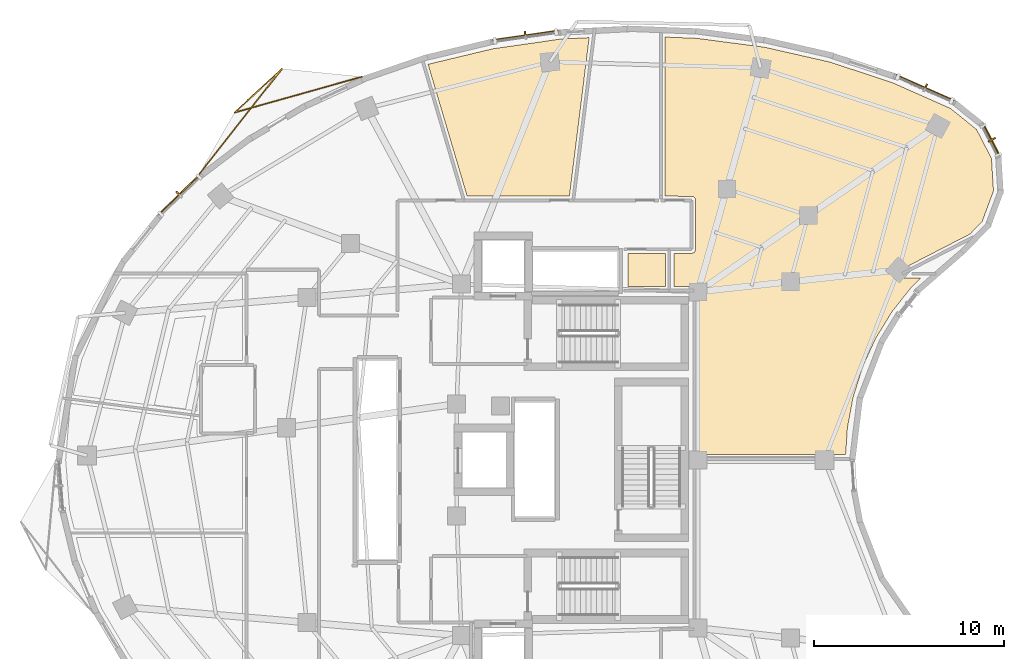
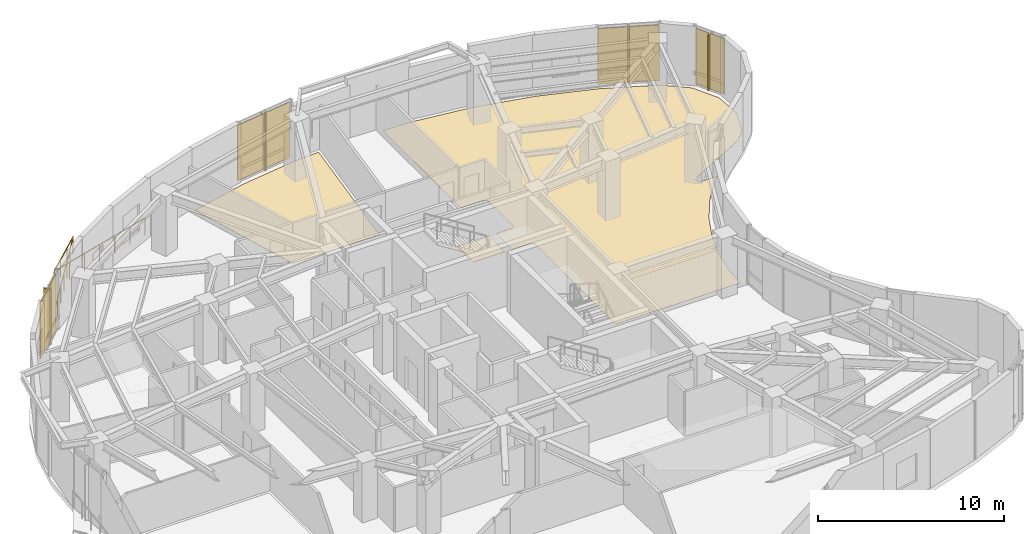
# One storey, part 15 of 15: 8 shading devices, 3 coverings, 1 railing.
"""IFC4 building model written with IfcOpenShell, lengths in metres."""

import ifcopenshell
import ifcopenshell.guid

model = None  # the IFC model being written
_history = None  # IfcOwnerHistory: only IFC2X3 demands one
_inside = {}  # id of a spatial element -> (the spatial element, [elements in it])
_under = {}  # id of a project, library or spatial element -> (it, [spatial elements below it])
_declared = {}  # id of a project -> (the project, [libraries it declares])
_typed = {}  # id of a type object -> (the type object, [elements of that type])
_made_of = {}  # id of a material, layer set ... -> (it, [elements and type objects made of it])


def new_model(schema):
    """Start an empty IFC model of exactly this schema.

    Asked for "IFC4X3", IfcOpenShell would pick the latest addendum, in which some entities
    have other attributes; the version numbers below select the first issue.
    IFC2X3 requires an IfcOwnerHistory on every rooted entity: one is made here for all.
    """
    global model, _history
    if schema == "IFC4X3":
        model = ifcopenshell.file(schema_version=(4, 3, 0, 0))
    else:
        model = ifcopenshell.file(schema=schema)
    _inside.clear()
    _under.clear()
    _declared.clear()
    _typed.clear()
    _made_of.clear()
    _history = None
    if model.schema == "IFC2X3":
        org = make("IfcOrganization", Name="unknown")
        user = make(
            "IfcPersonAndOrganization",
            ThePerson=make("IfcPerson", FamilyName="unknown"),
            TheOrganization=org,
        )
        app = make(
            "IfcApplication",
            ApplicationDeveloper=org,
            Version="unknown",
            ApplicationFullName="unknown",
            ApplicationIdentifier="unknown",
        )
        _history = make(
            "IfcOwnerHistory",
            OwningUser=user,
            OwningApplication=app,
            ChangeAction="ADDED",
            CreationDate=0,
        )
    return model


def make(cls, **values):
    """One entity of the class cls with the attributes given. An attribute that is None is left unset."""
    return model.create_entity(
        cls, **{name: value for name, value in values.items() if value is not None}
    )


def rooted(cls, **values):
    """An entity with a GlobalId (a new one), such as an element, a storey or a relation."""
    return make(cls, GlobalId=ifcopenshell.guid.new(), OwnerHistory=_history, **values)


def si_unit(unit_type, name, prefix=None):
    """IfcSIUnit, for example si_unit("LENGTHUNIT", "METRE", prefix="MILLI")."""
    return make("IfcSIUnit", UnitType=unit_type, Prefix=prefix, Name=name)


def assignment(units):
    """IfcUnitAssignment: the units of a project."""
    return None if units is None else make("IfcUnitAssignment", Units=units)


def point(xyz):
    """IfcCartesianPoint."""
    return None if xyz is None else make("IfcCartesianPoint", Coordinates=xyz)


def direction(xyz):
    """IfcDirection."""
    return None if xyz is None else make("IfcDirection", DirectionRatios=xyz)


def frame(location, z_axis=None, x_axis=None):
    """IfcAxis2Placement3D, a coordinate frame: its origin and axes. An axis left out is left unset."""
    return make(
        "IfcAxis2Placement3D",
        Location=point(location),
        Axis=direction(z_axis),
        RefDirection=direction(x_axis),
    )


def frame_2d(location, x_axis=None):
    """IfcAxis2Placement2D, a coordinate frame in the plane: its origin and x axis."""
    return make(
        "IfcAxis2Placement2D", Location=point(location), RefDirection=direction(x_axis)
    )


def origin():
    """The frame at (0, 0, 0) with its axes left unset."""
    return frame((0.0, 0.0, 0.0))


def origin_2d():
    """The frame at (0, 0) in the plane with its x axis left unset."""
    return frame_2d((0.0, 0.0))


def place(relative_to, where):
    """IfcLocalPlacement: puts the frame where relative to a parent placement (None: the world)."""
    return make(
        "IfcLocalPlacement", PlacementRelTo=relative_to, RelativePlacement=where
    )


def context(
    kind, dimensions, precision=None, world=None, true_north=None, identifier=None
):
    """IfcGeometricRepresentationContext, for example the 3D "Model" context."""
    return make(
        "IfcGeometricRepresentationContext",
        ContextIdentifier=identifier,
        ContextType=kind,
        CoordinateSpaceDimension=dimensions,
        Precision=precision,
        WorldCoordinateSystem=world,
        TrueNorth=true_north,
    )


def subcontext(parent, identifier, kind, view, scale=None):
    """IfcGeometricRepresentationSubContext, for example "Body" below "Model"."""
    return make(
        "IfcGeometricRepresentationSubContext",
        ContextIdentifier=identifier,
        ContextType=kind,
        ParentContext=parent,
        TargetScale=scale,
        TargetView=view,
    )


def project(units=None, contexts=None):
    """IfcProject with its units and contexts."""
    return rooted(
        "IfcProject",
        Name="project",
        RepresentationContexts=contexts,
        UnitsInContext=assignment(units),
    )


def spatial(cls, under=None, at=None, **own):
    """A site, building, storey or space (cls), placed at a placement, below another one or the project."""
    s = rooted(cls, ObjectPlacement=at, **own)
    if under is not None:
        _under.setdefault(under.id(), (under, []))[1].append(s)
    return s


def polyline(points):
    """IfcPolyline through the points."""
    return make("IfcPolyline", Points=[point(p) for p in points])


def profile(cls, at=None, kind="AREA", **sizes):
    """A parametric profile (cls). Its sizes go by their IFC names, for example OverallWidth=200.0."""
    return make(cls, ProfileType=kind, Position=at, **sizes)


def rectangle(**sizes):
    """IfcRectangleProfileDef."""
    return profile("IfcRectangleProfileDef", **sizes)


def outline(outer, holes=None, kind="AREA"):
    """IfcArbitraryClosedProfileDef: a profile drawn as a closed curve; with holes, ...WithVoids."""
    if holes is None:
        return make("IfcArbitraryClosedProfileDef", ProfileType=kind, OuterCurve=outer)
    return make(
        "IfcArbitraryProfileDefWithVoids",
        ProfileType=kind,
        OuterCurve=outer,
        InnerCurves=holes,
    )


def extrude(swept, where, along, depth):
    """IfcExtrudedAreaSolid: the profile swept, set in the frame where, extruded along a direction by depth."""
    return make(
        "IfcExtrudedAreaSolid",
        SweptArea=swept,
        Position=where,
        ExtrudedDirection=direction(along),
        Depth=depth,
    )


def shape(context_of_items, identifier, shape_type, items):
    """IfcShapeRepresentation: the items that make up one representation, for example the "Body"."""
    return make(
        "IfcShapeRepresentation",
        ContextOfItems=context_of_items,
        RepresentationIdentifier=identifier,
        RepresentationType=shape_type,
        Items=items,
    )


def material(Name=None, Category=None):
    """IfcMaterial."""
    return make("IfcMaterial", Name=Name, Category=Category)


def layer(
    of_material, thickness, ventilated=None, Name=None, Category=None, Priority=None
):
    """IfcMaterialLayer: one layer of a wall or slab, of a material (None: an air gap)."""
    return make(
        "IfcMaterialLayer",
        Material=of_material,
        LayerThickness=thickness,
        IsVentilated=ventilated,
        Name=Name,
        Category=Category,
        Priority=Priority,
    )


def layer_set(layers, Name=None):
    """IfcMaterialLayerSet."""
    return make("IfcMaterialLayerSet", MaterialLayers=layers, LayerSetName=Name)


def made_of(thing, what):
    """Note that an element or type object is made of a material, layer set ...; save() writes the relation."""
    if what is not None:
        _made_of.setdefault(what.id(), (what, []))[1].append(thing)
    return thing


def type_object(cls, material=None, **own):
    """A type object (cls), such as IfcWallType, which elements share."""
    return made_of(rooted(cls, **own), material)


def element(
    cls,
    number,
    at=None,
    inside=None,
    cuts=None,
    type_object=None,
    material=None,
    context=None,
    identifier="Body",
    shape_type=None,
    held_by="IfcProductDefinitionShape",
    body=None,
    shapes=None,
    **own,
):
    """One element of the class cls, such as IfcWall. Its Tag is "e" and its number.

    at: its placement. inside: the storey or other place that contains it. cuts: it is an
    opening in that element (IfcRelVoidsElement). A single representation is given by context,
    identifier, shape_type and body (its items); several are given by shapes. held_by: the class
    of the entity that holds the representations. save() writes the other relations.
    """
    e = rooted(cls, Tag="e%d" % number, ObjectPlacement=at, **own)
    if body is not None:
        shapes = [shape(context, identifier, shape_type, body)]
    if shapes is not None:
        e.Representation = make(held_by, Representations=shapes)
    if inside is not None:
        _inside.setdefault(inside.id(), (inside, []))[1].append(e)
    if cuts is not None:
        rooted(
            "IfcRelVoidsElement", RelatingBuildingElement=cuts, RelatedOpeningElement=e
        )
    if type_object is not None:
        _typed.setdefault(type_object.id(), (type_object, []))[1].append(e)
    return made_of(e, material)


def aggregate(whole, parts):
    """IfcRelAggregates: a whole, such as a stair, and the parts it consists of."""
    return rooted("IfcRelAggregates", RelatingObject=whole, RelatedObjects=parts)


def save(model, path):
    """Write the relations noted so far, then the file.

    IfcRelAggregates (storeys below a building ...), IfcRelContainedInSpatialStructure (elements
    in a storey), IfcRelDefinesByType, IfcRelAssociatesMaterial and IfcRelDeclares: one each for
    every whole, place, type object, material and project.
    """
    for whole, parts in _under.values():
        aggregate(whole, parts)
    for where, things in _inside.values():
        rooted(
            "IfcRelContainedInSpatialStructure",
            RelatedElements=things,
            RelatingStructure=where,
        )
    for kind, things in _typed.values():
        rooted("IfcRelDefinesByType", RelatedObjects=things, RelatingType=kind)
    for what, things in _made_of.values():
        rooted("IfcRelAssociatesMaterial", RelatedObjects=things, RelatingMaterial=what)
    for by, libraries in _declared.values():
        rooted("IfcRelDeclares", RelatingContext=by, RelatedDefinitions=libraries)
    model.write(path)


model = new_model("IFC4")

# Units and contexts
model_context = context("Model", 3, precision=1e-05, world=origin(), true_north=direction((0.0, 1.0)))
body_context = subcontext(model_context, "Body", "Model", "MODEL_VIEW")
ifc_project = project(units=[si_unit("LENGTHUNIT", "METRE"), si_unit("AREAUNIT", "SQUARE_METRE"), si_unit("VOLUMEUNIT", "CUBIC_METRE"), si_unit("PLANEANGLEUNIT", "RADIAN"), si_unit("MASSUNIT", "GRAM", prefix="KILO")], contexts=[model_context])

# Site, building, storey
site_placement = place(None, origin())
site = spatial("IfcSite", under=ifc_project, at=site_placement, CompositionType="ELEMENT")
building_placement = place(site_placement, origin())
building = spatial("IfcBuilding", under=site, at=building_placement, Name="Korentha Bioscience Tower", CompositionType="ELEMENT")
storey_placement = place(building_placement, frame((0.0, 0.0, 226.800048828125)))
storey = spatial("IfcBuildingStorey", under=building, at=storey_placement, Name="L52", CompositionType="ELEMENT", Elevation=226.800048828125)

# Covering
ifc_material_1 = material(Name="Vitrified Porcelain Tile", Category="ceramic")
ifc_layer_1 = layer(ifc_material_1, 0.014892578125, Name="Vitrified Porcelain Tile")
ifc_layer_set_1 = layer_set([ifc_layer_1], Name="Vitrified Porcelain Tile (FL-CER)")
covering_type_1 = type_object("IfcCoveringType", Name="Anti-Slip Ceramic Wet-Room Tile Flooring 15", PredefinedType="FLOORING", material=ifc_layer_set_1)
covering_1_placement = place(storey_placement, origin())
element("IfcCovering", 1, at=covering_1_placement, inside=storey, type_object=covering_type_1, Name="L52 Accessible Staff WC Floor Finish", PredefinedType="FLOORING", context=body_context, shape_type="SweptSolid", body=[
    extrude(outline(polyline([(33.8701171875, 36.1298828125), (33.8701171875, 37.8701171875), (35.830078125, 37.8701171875), (35.830078125, 36.1298828125), (33.8701171875, 36.1298828125)])), origin(), (0.0, 0.0, 1.0), 0.014892578125),
])

# Railing
ifc_material_2 = material(Name="Laminated Tempered Safety Glass", Category="glass")
railing_type = type_object("IfcRailingType", Name="Laminated Glass Balcony Guardrail 1150", PredefinedType="BALUSTRADE", material=ifc_material_2)
railing_placement = place(storey_placement, frame((19.86865234375, 47.1708984375, 0.0)))
element("IfcRailing", 2, at=railing_placement, inside=storey, type_object=railing_type, Name="L52 Balcony Guardrail 01", PredefinedType="BALUSTRADE", context=body_context, shape_type="SweptSolid", body=[
    extrude(rectangle(XDim=0.048095703125, YDim=0.048095703125, at=origin_2d()), frame((0.0, 0.0, 1.1259765625), z_axis=(-0.962678578782, -0.270647286987, 0.0), x_axis=(0.270647286987, -0.962678578782, 0.0)), (0.0, 0.0, 1.0), 6.9775390625),
    extrude(rectangle(XDim=0.048095703125, YDim=0.048095703125, at=origin_2d()), frame((-6.717041015625, -1.888427734375, 1.1259765625), z_axis=(0.735976764293, 0.677006796436, 0.0), x_axis=(-0.677006796436, 0.735976764293, 0.0)), (0.0, 0.0, 1.0), 3.403076171875),
    extrude(rectangle(XDim=0.048095703125, YDim=0.048095703125, at=origin_2d()), frame((-4.21240234375, 0.41552734375, 1.1259765625), z_axis=(-0.618992834984, -0.785396632434, 0.0), x_axis=(0.785396632434, -0.618992834984, 0.0)), (0.0, 0.0, 1.0), 7.001220703125),
    extrude(rectangle(XDim=0.0419921875, YDim=0.0419921875, at=origin_2d()), origin(), (0.0, 0.0, 1.0), 1.101806640625),
    extrude(rectangle(XDim=0.0419921875, YDim=0.0419921875, at=origin_2d()), frame((-1.11962890625, -0.314697265625, 0.0)), (0.0, 0.0, 1.0), 1.101806640625),
    extrude(rectangle(XDim=0.0419921875, YDim=0.0419921875, at=origin_2d()), frame((-2.239013671875, -0.62939453125, 0.0)), (0.0, 0.0, 1.0), 1.101806640625),
    extrude(rectangle(XDim=0.0419921875, YDim=0.0419921875, at=origin_2d()), frame((-3.3583984375, -0.9443359375, 0.0)), (0.0, 0.0, 1.0), 1.101806640625),
    extrude(rectangle(XDim=0.0419921875, YDim=0.0419921875, at=origin_2d()), frame((-4.47802734375, -1.259033203125, 0.0)), (0.0, 0.0, 1.0), 1.101806640625),
    extrude(rectangle(XDim=0.0419921875, YDim=0.0419921875, at=origin_2d()), frame((-5.59765625, -1.57373046875, 0.0)), (0.0, 0.0, 1.0), 1.101806640625),
    extrude(rectangle(XDim=0.0419921875, YDim=0.0419921875, at=origin_2d()), frame((-6.717041015625, -1.888427734375, 0.0)), (0.0, 0.0, 1.0), 1.101806640625),
    extrude(rectangle(XDim=0.0419921875, YDim=0.0419921875, at=origin_2d()), frame((-5.882080078125, -1.120361328125, 0.0)), (0.0, 0.0, 1.0), 1.101806640625),
    extrude(rectangle(XDim=0.0419921875, YDim=0.0419921875, at=origin_2d()), frame((-5.04736328125, -0.3525390625, 0.0)), (0.0, 0.0, 1.0), 1.101806640625),
    extrude(rectangle(XDim=0.0419921875, YDim=0.0419921875, at=origin_2d()), frame((-4.21240234375, 0.41552734375, 0.0)), (0.0, 0.0, 1.0), 1.101806640625),
    extrude(rectangle(XDim=0.0419921875, YDim=0.0419921875, at=origin_2d()), frame((-4.9345703125, -0.5009765625, 0.0)), (0.0, 0.0, 1.0), 1.101806640625),
    extrude(rectangle(XDim=0.0419921875, YDim=0.0419921875, at=origin_2d()), frame((-5.656982421875, -1.41748046875, 0.0)), (0.0, 0.0, 1.0), 1.101806640625),
    extrude(rectangle(XDim=0.0419921875, YDim=0.0419921875, at=origin_2d()), frame((-6.37939453125, -2.333984375, 0.0)), (0.0, 0.0, 1.0), 1.101806640625),
    extrude(rectangle(XDim=0.0419921875, YDim=0.0419921875, at=origin_2d()), frame((-7.1015625, -3.250244140625, 0.0)), (0.0, 0.0, 1.0), 1.101806640625),
    extrude(rectangle(XDim=0.0419921875, YDim=0.0419921875, at=origin_2d()), frame((-7.82373046875, -4.166748046875, 0.0)), (0.0, 0.0, 1.0), 1.101806640625),
    extrude(rectangle(XDim=0.0419921875, YDim=0.0419921875, at=origin_2d()), frame((-8.546142578125, -5.083251953125, 0.0)), (0.0, 0.0, 1.0), 1.101806640625),
])

# Shading devices
ifc_material_3 = material(Name="Perforated Stone-Ceramic Composite", Category="masonry")
ifc_layer_2 = layer(ifc_material_3, 0.06494140625, Name="Perforated Stone-Ceramic Composite")
ifc_layer_set_2 = layer_set([ifc_layer_2], Name="Perforated Stone-Ceramic Composite (CS-01)")
shading_device_type_1 = type_object("IfcShadingDeviceType", Name="Perforated Stone-Ceramic Solar Screen Panel 65", PredefinedType="USERDEFINED", material=ifc_layer_set_2)
shading_device_1_placement = place(storey_placement, frame((49.5126953125, 46.582275390625, 0.0), z_axis=(0.0, 0.0, 1.0), x_axis=(-0.913943941578, 0.405840450983, 0.0)))
element("IfcShadingDevice", 3, at=shading_device_1_placement, inside=storey, type_object=shading_device_type_1, Name="CW-L52-01 Perforated Stone-Ceramic Solar Screen", ObjectType="SCREEN", PredefinedType="USERDEFINED", context=body_context, shape_type="SweptSolid", body=[
    extrude(rectangle(XDim=3.33837890625, YDim=0.06494140625, at=origin_2d()), origin(), (0.0, 0.0, 1.0), 3.64990234375),
])
shading_device_2_placement = place(storey_placement, frame((28.4658203125, 49.341796875, 0.0), z_axis=(0.0, 0.0, 1.0), x_axis=(-0.989901889134, -0.141754188259, 0.0)))
element("IfcShadingDevice", 4, at=shading_device_2_placement, inside=storey, type_object=shading_device_type_1, Name="CW-L52-07 Perforated Stone-Ceramic Solar Screen", ObjectType="SCREEN", PredefinedType="USERDEFINED", context=body_context, shape_type="SweptSolid", body=[
    extrude(rectangle(XDim=3.521484375, YDim=0.06494140625, at=origin_2d()), origin(), (0.0, 0.0, 1.0), 3.64990234375),
])
shading_device_3_placement = place(storey_placement, frame((10.24365234375, 40.961181640625, 0.0), z_axis=(0.0, 0.0, 1.0), x_axis=(-0.719000359175, -0.695009700297, 0.0)))
element("IfcShadingDevice", 5, at=shading_device_3_placement, inside=storey, type_object=shading_device_type_1, Name="CW-L52-13 Perforated Stone-Ceramic Solar Screen", ObjectType="SCREEN", PredefinedType="USERDEFINED", context=body_context, shape_type="SweptSolid", body=[
    extrude(rectangle(XDim=3.01708984375, YDim=0.06494140625, at=origin_2d()), origin(), (0.0, 0.0, 1.0), 3.64990234375),
])
shading_device_4_placement = place(storey_placement, frame((53.003662109375, 43.843505859375, 0.0), z_axis=(0.0, 0.0, 1.0), x_axis=(-0.459738031963, 0.888054582763, 0.0)))
element("IfcShadingDevice", 6, at=shading_device_4_placement, inside=storey, type_object=shading_device_type_1, Name="CW-L52-61 Perforated Stone-Ceramic Solar Screen", ObjectType="SCREEN", PredefinedType="USERDEFINED", context=body_context, shape_type="SweptSolid", body=[
    extrude(rectangle(XDim=1.831298828125, YDim=0.06494140625, at=origin_2d()), origin(), (0.0, 0.0, 1.0), 3.64990234375),
])

# Coverings
ifc_material_4 = material(Name="Chemical-Resistant Epoxy Resin", Category="polymer")
ifc_layer_3 = layer(ifc_material_4, 0.011962890625, Name="Chemical-Resistant Epoxy Resin")
ifc_layer_set_3 = layer_set([ifc_layer_3], Name="Chemical-Resistant Epoxy Resin (FL-EPX)")
covering_type_2 = type_object("IfcCoveringType", Name="Seamless Epoxy Laboratory Flooring 12", PredefinedType="FLOORING", material=ifc_layer_set_3)
covering_2_placement = place(storey_placement, origin())
element("IfcCovering", 7, at=covering_2_placement, inside=storey, type_object=covering_type_2, Name="L52 Scientific Writing Quiet Alcove 07 Floor Finish", PredefinedType="FLOORING", context=body_context, shape_type="SweptSolid", body=[
    extrude(outline(polyline([(35.822021484375, 49.25732421875), (37.4912109375, 49.191650390625), (41.039794921875, 48.726318359375), (44.48681640625, 47.944580078125), (47.78173828125, 46.8583984375), (50.840087890625, 45.500244140625), (52.20947265625, 44.398681640625), (52.99853515625, 42.87451171875), (53.104736328125, 41.16162109375), (52.51025390625, 39.551513671875), (51.86474609375, 38.88525390625), (48.207763671875, 37.001220703125), (48.109130859375, 36.900390625), (48.0869140625, 36.81494140625), (48.107177734375, 36.707763671875), (48.159423828125, 36.636474609375), (48.255615234375, 36.584716796875), (49.269287109375, 36.577880859375), (48.797119140625, 36.109619140625), (47.762451171875, 34.80419921875), (46.89794921875, 33.388671875), (46.224365234375, 31.911376953125), (45.7080078125, 30.27294921875), (45.413330078125, 28.6796875), (45.324951171875, 27.278076171875), (37.580078125, 27.278076171875), (37.57763671875, 35.933349609375), (37.52001953125, 36.0546875), (37.44873046875, 36.107666015625), (37.38427734375, 36.12744140625), (36.280029296875, 36.1298828125), (36.280029296875, 37.8701171875), (37.234130859375, 37.87255859375), (37.35400390625, 37.92919921875), (37.423095703125, 38.043701171875), (37.4296875, 40.661865234375), (37.408203125, 40.747802734375), (37.3701171875, 40.8046875), (37.298828125, 40.857666015625), (37.2333984375, 40.877685546875), (35.822021484375, 40.8798828125), (35.822021484375, 49.25732421875)])), origin(), (0.0, 0.0, 1.0), 0.011962890625),
])
covering_3_placement = place(storey_placement, origin())
element("IfcCovering", 8, at=covering_3_placement, inside=storey, type_object=covering_type_2, Name="L52 Researchers' Reading Lounge 09 Floor Finish", PredefinedType="FLOORING", context=body_context, shape_type="SweptSolid", body=[
    extrude(outline(polyline([(26.760498046875, 48.64306640625), (30.299072265625, 49.14990234375), (31.82470703125, 49.227783203125), (30.78271484375, 40.881103515625), (25.400146484375, 40.8798828125), (23.34326171875, 47.82421875), (26.760498046875, 48.64306640625)])), origin(), (0.0, 0.0, 1.0), 0.011962890625),
])

# Shading devices
ifc_material_5 = material(Name="Honed Travertine Limestone", Category="masonry")
ifc_layer_4 = layer(ifc_material_5, 0.080078125, Name="Honed Travertine Limestone")
ifc_layer_set_4 = layer_set([ifc_layer_4], Name="Honed Travertine Limestone (CS-02)")
shading_device_type_2 = type_object("IfcShadingDeviceType", Name="Vertical Honed Limestone Sunshade Fin 80x420", PredefinedType="USERDEFINED", material=ifc_layer_set_4)
for number, where, z_axis, x_axis, name in (
    (9, (49.520751953125, 46.600341796875, 0.0), (0.0, 0.0, 1.0), (-0.913943941578, 0.405840450983, 0.0), "CW-L52-01 Limestone Sunshade Fin"),
    (10, (28.462890625, 49.361572265625, 0.0), (0.0, 0.0, 1.0), (-0.989901889134, -0.141754188259, 0.0), "CW-L52-07 Limestone Sunshade Fin"),
    (11, (10.229736328125, 40.9755859375, 0.0), (0.0, 0.0, 1.0), (-0.719000359175, -0.695009700297, 0.0), "CW-L52-13 Limestone Sunshade Fin"),
    (12, (53.021484375, 43.8525390625, 0.0), (0.0, 0.0, 1.0), (-0.459738031963, 0.888054582763, 0.0), "CW-L52-61 Limestone Sunshade Fin"),
):
    element("IfcShadingDevice", number, at=place(storey_placement, frame(where, z_axis=z_axis, x_axis=x_axis)), inside=storey, type_object=shading_device_type_2, Name=name, ObjectType="SCREEN", PredefinedType="USERDEFINED", context=body_context, shape_type="SweptSolid", body=[
        extrude(rectangle(XDim=0.080078125, YDim=0.419921875, at=origin_2d()), origin(), (0.0, 0.0, 1.0), 3.64990234375),
    ])

save(model, "model.ifc")
